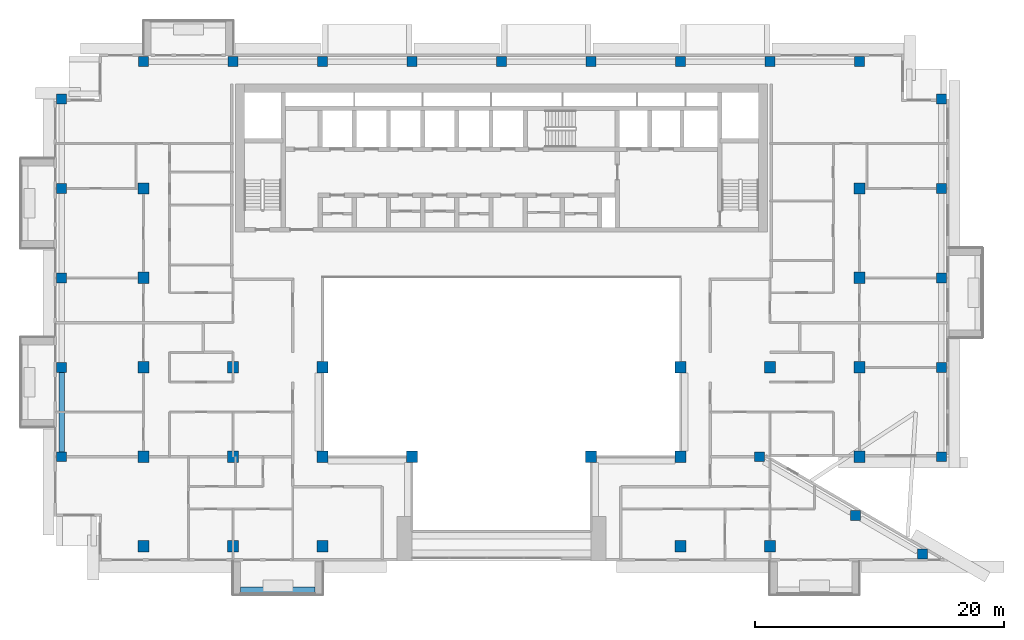
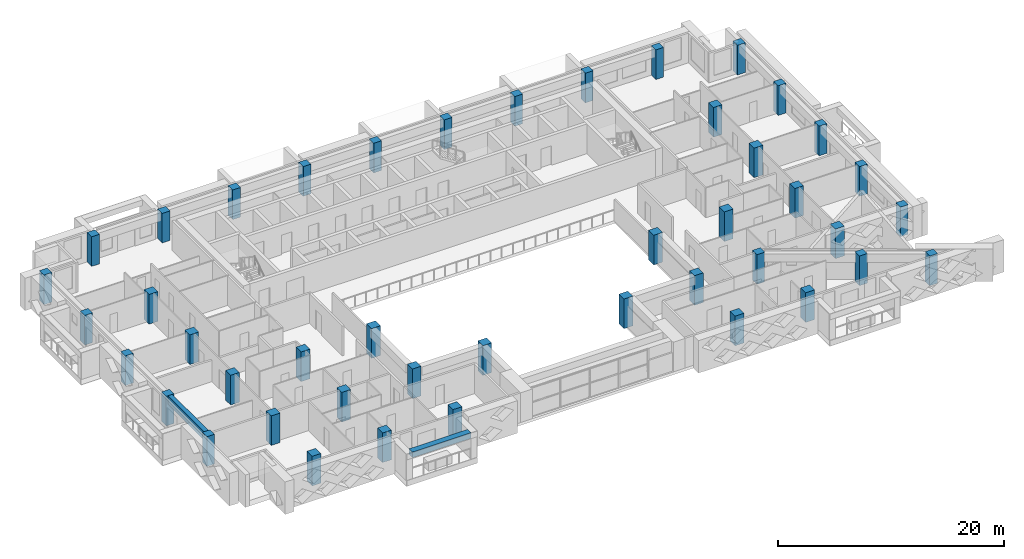
# One storey, part 1 of 20: 44 columns, 2 beams.
"""IFC4 building model written with IfcOpenShell, lengths in metres."""

from ifc_helpers import new_model, si_unit, direction, frame, origin, origin_2d, place, context, subcontext, project, spatial, rectangle, extrude, source, transform, mapped, material, material_profile, profile_set, type_object, element, save


model = new_model("IFC4")

# Units and contexts
model_context = context("Model", 3, precision=1e-05, world=origin(), true_north=direction((0.0, 1.0)))
body_context = subcontext(model_context, "Body", "Model", "MODEL_VIEW")
ifc_project = project(units=[si_unit("LENGTHUNIT", "METRE"), si_unit("AREAUNIT", "SQUARE_METRE"), si_unit("VOLUMEUNIT", "CUBIC_METRE"), si_unit("PLANEANGLEUNIT", "RADIAN"), si_unit("MASSUNIT", "GRAM", prefix="KILO")], contexts=[model_context])

# Site, building, storey
site_placement = place(None, origin())
site = spatial("IfcSite", under=ifc_project, at=site_placement, CompositionType="ELEMENT")
building_placement = place(site_placement, origin())
building = spatial("IfcBuilding", under=site, at=building_placement, Name="Saffron Iwan Residences", CompositionType="ELEMENT")
storey_placement = place(building_placement, frame((0.0, 0.0, 178.0)))
storey = spatial("IfcBuildingStorey", under=building, at=storey_placement, Name="L47", CompositionType="ELEMENT", Elevation=178.0)

# Columns
ifc_material_1 = material(Name="Concrete C50/60", Category="concrete")
ifc_material_profile_1 = material_profile(ifc_material_1, rectangle(XDim=0.89990234375, YDim=0.89990234375, at=origin_2d()), Name="RC 900x900")
ifc_profile_set_1 = profile_set([ifc_material_profile_1], Name="Concrete C50/60")
column_type_1 = type_object("IfcColumnType", Name="COL RC 900x900 C50/60 3200 HIGH", PredefinedType="COLUMN", material=ifc_profile_set_1)
shared_shape_1 = source(origin(), body_context, "Body", "SweptSolid", [
    extrude(rectangle(XDim=0.89990234375, YDim=0.89990234375, at=origin_2d()), origin(), (0.0, 0.0, 1.0), 3.199951171875),
])
for number, where, z_axis, x_axis, name in (
    (1, (21.60009765625, 40.800048828125, 0.0), (0.0, 0.0, 1.0), (1.0, 0.0, 0.0), "Column C049"),
    (2, (28.800048828125, 40.800048828125, 0.0), (0.0, 0.0, 1.0), (1.0, 0.0, 0.0), "Column C051"),
    (3, (36.0, 40.800048828125, 0.0), (0.0, 0.0, 1.0), (1.0, 0.0, 0.0), "Column C052"),
    (4, (64.800048828125, 40.800048828125, 0.0), (0.0, 0.0, 1.0), (1.0, 0.0, 0.0), "Column C055"),
    (5, (72.0, 40.800048828125, 0.0), (0.0, 0.0, 1.0), (1.0, 0.0, 0.0), "Column C056"),
    (6, (21.60009765625, 48.0, 0.0), (0.0, 0.0, 1.0), (1.0, 0.0, 0.0), "Column C063"),
    (7, (28.800048828125, 48.0, 0.0), (0.0, 0.0, 1.0), (1.0, 0.0, 0.0), "Column C064"),
    (8, (36.0, 48.0, 0.0), (0.0, 0.0, 1.0), (1.0, 0.0, 0.0), "Column C065"),
    (9, (43.199951171875, 48.0, 0.0), (0.0, 0.0, 1.0), (1.0, 0.0, 0.0), "Column C066"),
    (10, (57.60009765625, 48.0, 0.0), (0.0, 0.0, 1.0), (1.0, 0.0, 0.0), "Column C068"),
    (11, (64.800048828125, 48.0, 0.0), (0.0, 0.0, 1.0), (1.0, 0.0, 0.0), "Column C069"),
    (12, (79.199951171875, 48.0, 0.0), (0.0, 0.0, 1.0), (1.0, 0.0, 0.0), "Column C072"),
    (13, (21.60009765625, 55.199951171875, 0.0), (0.0, 0.0, 1.0), (1.0, 0.0, 0.0), "Column C079"),
    (14, (28.800048828125, 55.199951171875, 0.0), (0.0, 0.0, 1.0), (1.0, 0.0, 0.0), "Column C080"),
    (15, (36.0, 55.199951171875, 0.0), (0.0, 0.0, 1.0), (1.0, 0.0, 0.0), "Column C081"),
    (16, (64.800048828125, 55.199951171875, 0.0), (0.0, 0.0, 1.0), (1.0, 0.0, 0.0), "Column C082"),
    (17, (72.0, 55.199951171875, 0.0), (0.0, 0.0, 1.0), (1.0, 0.0, 0.0), "Column C083"),
    (18, (79.199951171875, 55.199951171875, 0.0), (0.0, 0.0, 1.0), (1.0, 0.0, 0.0), "Column C084"),
    (19, (21.60009765625, 62.39990234375, 0.0), (0.0, 0.0, 1.0), (1.0, 0.0, 0.0), "Column C091"),
    (20, (79.199951171875, 62.39990234375, 0.0), (0.0, 0.0, 1.0), (1.0, 0.0, 0.0), "Column C092"),
    (21, (21.60009765625, 69.60009765625, 0.0), (0.0, 0.0, 1.0), (1.0, 0.0, 0.0), "Column C099"),
    (22, (79.199951171875, 69.60009765625, 0.0), (0.0, 0.0, 1.0), (1.0, 0.0, 0.0), "Column C100"),
):
    element("IfcColumn", number, at=place(storey_placement, frame(where, z_axis=z_axis, x_axis=x_axis)), inside=storey, type_object=column_type_1, Name=name, PredefinedType="COLUMN", context=body_context, shape_type="MappedRepresentation", body=[
        mapped(shared_shape_1, transform((0.0, 0.0, 0.0))),
    ])
ifc_material_profile_2 = material_profile(ifc_material_1, rectangle(XDim=0.800048828125, YDim=0.800048828125, at=origin_2d()), Name="RC 800x800")
ifc_profile_set_2 = profile_set([ifc_material_profile_2], Name="Concrete C50/60")
column_type_2 = type_object("IfcColumnType", Name="COL RC 800x800 C50/60 3200 HIGH", PredefinedType="COLUMN", material=ifc_profile_set_2)
shared_shape_2 = source(origin(), body_context, "Body", "SweptSolid", [
    extrude(rectangle(XDim=0.800048828125, YDim=0.800048828125, at=origin_2d()), origin(), (0.0, 0.0, 1.0), 3.199951171875),
])
for number, where, z_axis, x_axis, name in (
    (23, (84.276123046875, 40.17431640625, 0.0), (0.0, 0.0, 1.0), (1.0, 0.0, 0.0), "Column C045"),
    (24, (78.897705078125, 43.28173828125, 0.0), (0.0, 0.0, 1.0), (1.0, 0.0, 0.0), "Column C058"),
    (25, (15.0, 48.0, 0.0), (0.0, 0.0, 1.0), (1.0, 0.0, 0.0), "Column C061"),
    (26, (71.14990234375, 48.0, 0.0), (0.0, 0.0, 1.0), (1.0, 0.0, 0.0), "Column C070"),
    (27, (85.800048828125, 48.0, 0.0), (0.0, 0.0, 1.0), (1.0, 0.0, 0.0), "Column C074"),
    (28, (15.0, 55.199951171875, 0.0), (0.0, 0.0, 1.0), (1.0, 0.0, 0.0), "Column C077"),
    (29, (85.800048828125, 55.199951171875, 0.0), (0.0, 0.0, 1.0), (1.0, 0.0, 0.0), "Column C086"),
    (30, (15.0, 62.39990234375, 0.0), (0.0, 0.0, 1.0), (1.0, 0.0, 0.0), "Column C089"),
    (31, (85.800048828125, 62.39990234375, 0.0), (0.0, 0.0, 1.0), (1.0, 0.0, 0.0), "Column C094"),
    (32, (15.0, 69.60009765625, 0.0), (0.0, 0.0, 1.0), (1.0, 0.0, 0.0), "Column C097"),
    (33, (85.800048828125, 69.60009765625, 0.0), (0.0, 0.0, 1.0), (1.0, 0.0, 0.0), "Column C102"),
    (34, (15.0, 76.800048828125, 0.0), (0.0, 0.0, 1.0), (1.0, 0.0, 0.0), "Column C105"),
    (35, (85.800048828125, 76.800048828125, 0.0), (0.0, 0.0, 1.0), (1.0, 0.0, 0.0), "Column C110"),
    (36, (21.60009765625, 79.800048828125, 0.0), (0.0, 0.0, 1.0), (1.0, 0.0, 0.0), "Column C113"),
    (37, (28.800048828125, 79.800048828125, 0.0), (0.0, 0.0, 1.0), (1.0, 0.0, 0.0), "Column C115"),
    (38, (36.0, 79.800048828125, 0.0), (0.0, 0.0, 1.0), (1.0, 0.0, 0.0), "Column C116"),
    (39, (43.199951171875, 79.800048828125, 0.0), (0.0, 0.0, 1.0), (1.0, 0.0, 0.0), "Column C117"),
    (40, (50.39990234375, 79.800048828125, 0.0), (0.0, 0.0, 1.0), (1.0, 0.0, 0.0), "Column C118"),
    (41, (57.60009765625, 79.800048828125, 0.0), (0.0, 0.0, 1.0), (1.0, 0.0, 0.0), "Column C119"),
    (42, (64.800048828125, 79.800048828125, 0.0), (0.0, 0.0, 1.0), (1.0, 0.0, 0.0), "Column C120"),
    (43, (72.0, 79.800048828125, 0.0), (0.0, 0.0, 1.0), (1.0, 0.0, 0.0), "Column C121"),
    (44, (79.199951171875, 79.800048828125, 0.0), (0.0, 0.0, 1.0), (1.0, 0.0, 0.0), "Column C123"),
):
    element("IfcColumn", number, at=place(storey_placement, frame(where, z_axis=z_axis, x_axis=x_axis)), inside=storey, type_object=column_type_2, Name=name, PredefinedType="COLUMN", context=body_context, shape_type="MappedRepresentation", body=[
        mapped(shared_shape_2, transform((0.0, 0.0, 0.0))),
    ])

# Beams
ifc_material_profile_3 = material_profile(ifc_material_1, rectangle(XDim=0.449951171875, YDim=0.89990234375, at=origin_2d()), Name="RC 450x900")
ifc_profile_set_3 = profile_set([ifc_material_profile_3], Name="Concrete C50/60")
beam_type_1 = type_object("IfcBeamType", Name="SPANDREL BEAM RC 450x900 C50/60 TOP 3200", PredefinedType="SPANDREL", material=ifc_profile_set_3)
shared_shape_3 = source(origin(), body_context, "Body", "SweptSolid", [
    extrude(rectangle(XDim=0.449951171875, YDim=0.89990234375, at=origin_2d()), origin(), (0.0, 0.0, 1.0), 6.400146484375),
])
beam_1_placement = place(storey_placement, frame((15.0, 48.39990234375, 2.75), z_axis=(0.0, 1.0, 0.0), x_axis=(-1.0, 0.0, 0.0)))
element("IfcBeam", 45, at=beam_1_placement, inside=storey, type_object=beam_type_1, Name="Spandrel beam", PredefinedType="SPANDREL", context=body_context, shape_type="MappedRepresentation", body=[
    mapped(shared_shape_3, transform((0.0, 0.0, 0.0))),
])
ifc_material_2 = material(Name="Concrete C50/60 white painted", Category="concrete")
ifc_material_profile_4 = material_profile(ifc_material_2, rectangle(XDim=0.60009765625, YDim=0.60009765625, at=origin_2d()), Name="BALCONY FASCIA BEAM 600 x 600")
ifc_profile_set_4 = profile_set([ifc_material_profile_4], Name="Concrete C50/60 white painted")
beam_type_2 = type_object("IfcBeamType", Name="BALCONY FASCIA BEAM 600 x 600", PredefinedType="BEAM", material=ifc_profile_set_4)
shared_shape_4 = source(origin(), body_context, "Body", "SweptSolid", [
    extrude(rectangle(XDim=0.60009765625, YDim=0.60009765625, at=origin_2d()), origin(), (0.0, 0.0, 1.0), 6.0),
])
beam_2_placement = place(storey_placement, frame((29.39990234375, 37.199951171875, 2.550048828125), z_axis=(1.0, 0.0, 0.0), x_axis=(0.0, 1.0, 0.0)))
element("IfcBeam", 46, at=beam_2_placement, inside=storey, type_object=beam_type_2, Name="Balcony fascia beam L47 11-0", PredefinedType="BEAM", context=body_context, shape_type="MappedRepresentation", body=[
    mapped(shared_shape_4, transform((0.0, 0.0, 0.0))),
])

save(model, "model.ifc")
